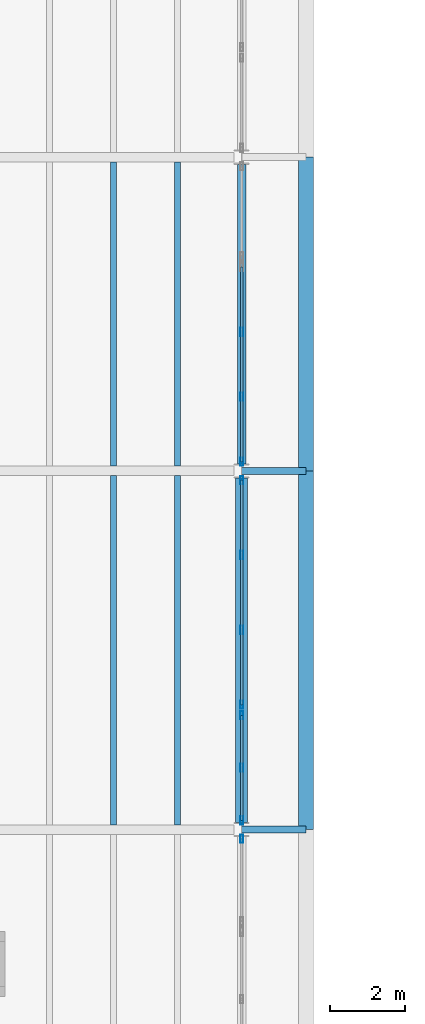
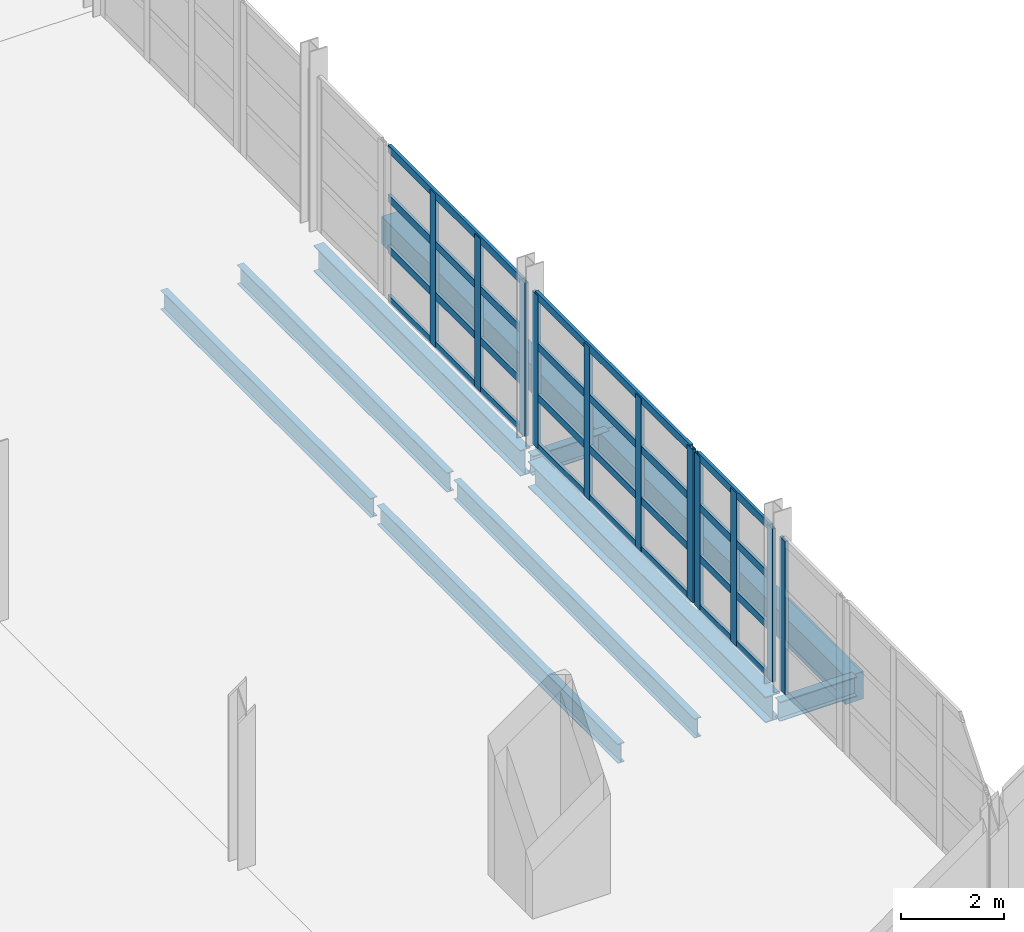
# One storey, part 71 of 114: 23 members, 10 beams, 4 elements without a shape of their own.
"""IFC4 building model written with IfcOpenShell, lengths in metres."""

from ifc_helpers import new_model, si_unit, direction, frame, origin, origin_2d, place, context, subcontext, project, spatial, rectangle, hollow_rectangle, i_section, extrude, material, material_profile, profile_set, type_object, element, aggregate, save


model = new_model("IFC4")

# Units and contexts
model_context = context("Model", 3, precision=1e-05, world=origin(), true_north=direction((0.0, 1.0)))
body_context = subcontext(model_context, "Body", "Model", "MODEL_VIEW")
ifc_project = project(units=[si_unit("LENGTHUNIT", "METRE"), si_unit("AREAUNIT", "SQUARE_METRE"), si_unit("VOLUMEUNIT", "CUBIC_METRE"), si_unit("PLANEANGLEUNIT", "RADIAN"), si_unit("MASSUNIT", "GRAM", prefix="KILO")], contexts=[model_context])

# Site, building, storey
site_placement = place(None, origin())
site = spatial("IfcSite", under=ifc_project, at=site_placement, CompositionType="ELEMENT")
building_placement = place(site_placement, origin())
building = spatial("IfcBuilding", under=site, at=building_placement, Name="Kelmvaro Bay Concert Hall", CompositionType="ELEMENT")
storey_placement = place(building_placement, frame((0.0, 0.0, 4.800048828125)))
storey = spatial("IfcBuildingStorey", under=building, at=storey_placement, Name="L01", CompositionType="ELEMENT", Elevation=4.800048828125)

# Beams
ifc_material_1 = material(Name="Concrete C40/50", Category="concrete")
ifc_material_profile_1 = material_profile(ifc_material_1, rectangle(XDim=0.39990234375, YDim=0.64990234375, at=origin_2d()), Name="RC-BM-400X650")
ifc_profile_set_1 = profile_set([ifc_material_profile_1], Name="Concrete C40/50")
beam_type_1 = type_object("IfcBeamType", Name="Canopy Edge Concrete Beam RC400x650", PredefinedType="BEAM", material=ifc_profile_set_1)
beam_1_placement = place(storey_placement, frame((133.719970703125, 47.39990234375, -0.6650390625), z_axis=(0.0, 1.0, 0.0), x_axis=(-1.0, 0.0, 0.0)))
element("IfcBeam", 1, at=beam_1_placement, inside=storey, type_object=beam_type_1, Name="Storm Eave Fascia Beam EBL-09", PredefinedType="BEAM", context=body_context, shape_type="SweptSolid", body=[
    extrude(rectangle(XDim=0.39990234375, YDim=0.64990234375, at=origin_2d()), origin(), (0.0, 0.0, 1.0), 9.60009765625),
])
beam_2_placement = place(storey_placement, frame((133.719970703125, 57.0, -0.6650390625), z_axis=(0.0, 1.0, 0.0), x_axis=(-1.0, 0.0, 0.0)))
element("IfcBeam", 2, at=beam_2_placement, inside=storey, type_object=beam_type_1, Name="Storm Eave Fascia Beam EBL-10", PredefinedType="BEAM", context=body_context, shape_type="SweptSolid", body=[
    extrude(rectangle(XDim=0.39990234375, YDim=0.64990234375, at=origin_2d()), origin(), (0.0, 0.0, 1.0), 8.39990234375),
])
ifc_material_2 = material(Name="Steel ASTM A992 Grade 50", Category="steel")
ifc_material_profile_2 = material_profile(ifc_material_2, i_section(OverallWidth=0.19189453125, OverallDepth=0.4619140625, WebThickness=0.010498046875, FlangeThickness=0.017578125, at=origin_2d()), Name="W18X60")
ifc_profile_set_2 = profile_set([ifc_material_profile_2], Name="Steel ASTM A992 Grade 50")
beam_type_2 = type_object("IfcBeamType", Name="Canopy Primary Frame Beam W18x60", PredefinedType="BEAM", material=ifc_profile_set_2)
for number, where, z_axis, x_axis, name in (
    (3, (132.0, 47.39990234375, -0.571044921875), (1.0, 0.0, 0.0), (0.0, 1.0, 0.0), "Storm Eave Cantilever Bracket EBL-11"),
    (4, (132.0, 57.0, -0.571044921875), (1.0, 0.0, 0.0), (0.0, 1.0, 0.0), "Storm Eave Cantilever Bracket EBL-12"),
):
    element("IfcBeam", number, at=place(storey_placement, frame(where, z_axis=z_axis, x_axis=x_axis)), inside=storey, type_object=beam_type_2, Name=name, PredefinedType="BEAM", context=body_context, shape_type="SweptSolid", body=[
        extrude(i_section(OverallWidth=0.19189453125, OverallDepth=0.4619140625, WebThickness=0.010498046875, FlangeThickness=0.017578125, at=origin_2d()), origin(), (0.0, 0.0, 1.0), 1.719970703125),
    ])

# Curtain wall, members
ifc_material_3 = material(Name="Anodised Aluminium and Low-E Insulated Glazing", Category="aluminium")
curtain_wall_type = type_object("IfcCurtainWallType", Name="Mezzanine Concourse Curtain Wall 4100", PredefinedType="USERDEFINED", material=ifc_material_3)
curtain_wall_1_placement = place(storey_placement, origin())
curtain_wall_1 = element("IfcCurtainWall", 5, at=curtain_wall_1_placement, inside=storey, type_object=curtain_wall_type, Name="Unitised Curtain Wall CW-L01-113", ObjectType="UNITISED GLAZING", PredefinedType="USERDEFINED")
ifc_material_4 = material(Name="Anodised Extruded Aluminium 6063-T6", Category="aluminium")
ifc_material_profile_3 = material_profile(ifc_material_4, hollow_rectangle(XDim=0.074951171875, YDim=0.219970703125, WallThickness=0.00439453125, at=origin_2d()), Name="ALU-MUL-220X75")
ifc_profile_set_3 = profile_set([ifc_material_profile_3], Name="Anodised Extruded Aluminium 6063-T6")
member_type_1 = type_object("IfcMemberType", Name="Curtain Mullion Heavy ALU 220x75", PredefinedType="MULLION", material=ifc_profile_set_3)
member_1_placement = place(storey_placement, frame((132.0, 50.4599609375, 0.0), z_axis=(0.0, 0.0, 1.0), x_axis=(1.0, 0.0, 0.0)))
member_1 = element("IfcMember", 6, at=member_1_placement, type_object=member_type_1, Name="CW-L01-113 Mullion 01", PredefinedType="MULLION", context=body_context, shape_type="SweptSolid", body=[
    extrude(hollow_rectangle(XDim=0.074951171875, YDim=0.219970703125, WallThickness=0.00439453125, at=origin_2d()), origin(), (0.0, 0.0, 1.0), 3.62890625),
])
member_2_placement = place(storey_placement, frame((132.0, 49.052734375, 0.0), z_axis=(0.0, 0.0, 1.0), x_axis=(1.0, 0.0, 0.0)))
member_2 = element("IfcMember", 7, at=member_2_placement, type_object=member_type_1, Name="CW-L01-113 Mullion 02", PredefinedType="MULLION", context=body_context, shape_type="SweptSolid", body=[
    extrude(hollow_rectangle(XDim=0.074951171875, YDim=0.219970703125, WallThickness=0.00439453125, at=origin_2d()), origin(), (0.0, 0.0, 1.0), 3.62890625),
])
member_3_placement = place(storey_placement, frame((132.0, 47.6455078125, 0.0), z_axis=(0.0, 0.0, 1.0), x_axis=(1.0, 0.0, 0.0)))
member_3 = element("IfcMember", 8, at=member_3_placement, type_object=member_type_1, Name="CW-L01-113 Mullion 03", PredefinedType="MULLION", context=body_context, shape_type="SweptSolid", body=[
    extrude(hollow_rectangle(XDim=0.074951171875, YDim=0.219970703125, WallThickness=0.00439453125, at=origin_2d()), origin(), (0.0, 0.0, 1.0), 3.62890625),
])

# Curtain wall, member
curtain_wall_2_placement = place(storey_placement, origin())
curtain_wall_2 = element("IfcCurtainWall", 9, at=curtain_wall_2_placement, inside=storey, type_object=curtain_wall_type, Name="Unitised Curtain Wall CW-L01-114", ObjectType="UNITISED GLAZING", PredefinedType="USERDEFINED")
member_4_placement = place(storey_placement, frame((132.0, 47.154541015625, 0.0), z_axis=(0.0, 0.0, 1.0), x_axis=(1.0, 0.0, 0.0)))
member_4 = element("IfcMember", 10, at=member_4_placement, type_object=member_type_1, Name="CW-L01-114 Mullion 01", PredefinedType="MULLION", context=body_context, shape_type="SweptSolid", body=[
    extrude(hollow_rectangle(XDim=0.074951171875, YDim=0.219970703125, WallThickness=0.00439453125, at=origin_2d()), origin(), (0.0, 0.0, 1.0), 3.6279296875),
])
aggregate(curtain_wall_2, [member_4])

# Curtain wall, members
curtain_wall_3_placement = place(storey_placement, origin())
curtain_wall_3 = element("IfcCurtainWall", 11, at=curtain_wall_3_placement, inside=storey, type_object=curtain_wall_type, Name="Unitised Curtain Wall CW-L01-116", ObjectType="UNITISED GLAZING", PredefinedType="USERDEFINED")
member_5_placement = place(storey_placement, frame((132.0, 56.75439453125, 0.0), z_axis=(0.0, 0.0, 1.0), x_axis=(1.0, 0.0, 0.0)))
member_5 = element("IfcMember", 12, at=member_5_placement, type_object=member_type_1, Name="CW-L01-116 Mullion 01", PredefinedType="MULLION", context=body_context, shape_type="SweptSolid", body=[
    extrude(hollow_rectangle(XDim=0.074951171875, YDim=0.219970703125, WallThickness=0.00439453125, at=origin_2d()), origin(), (0.0, 0.0, 1.0), 3.62890625),
])
member_6_placement = place(storey_placement, frame((132.0, 54.749755859375, 0.0), z_axis=(0.0, 0.0, 1.0), x_axis=(1.0, 0.0, 0.0)))
member_6 = element("IfcMember", 13, at=member_6_placement, type_object=member_type_1, Name="CW-L01-116 Mullion 02", PredefinedType="MULLION", context=body_context, shape_type="SweptSolid", body=[
    extrude(hollow_rectangle(XDim=0.074951171875, YDim=0.219970703125, WallThickness=0.00439453125, at=origin_2d()), origin(), (0.0, 0.0, 1.0), 3.62890625),
])
member_7_placement = place(storey_placement, frame((132.0, 52.744873046875, 0.0), z_axis=(0.0, 0.0, 1.0), x_axis=(1.0, 0.0, 0.0)))
member_7 = element("IfcMember", 14, at=member_7_placement, type_object=member_type_1, Name="CW-L01-116 Mullion 03", PredefinedType="MULLION", context=body_context, shape_type="SweptSolid", body=[
    extrude(hollow_rectangle(XDim=0.074951171875, YDim=0.219970703125, WallThickness=0.00439453125, at=origin_2d()), origin(), (0.0, 0.0, 1.0), 3.62890625),
])
member_8_placement = place(storey_placement, frame((132.0, 50.739990234375, 0.0), z_axis=(0.0, 0.0, 1.0), x_axis=(1.0, 0.0, 0.0)))
member_8 = element("IfcMember", 15, at=member_8_placement, type_object=member_type_1, Name="CW-L01-116 Mullion 04", PredefinedType="MULLION", context=body_context, shape_type="SweptSolid", body=[
    extrude(hollow_rectangle(XDim=0.074951171875, YDim=0.219970703125, WallThickness=0.00439453125, at=origin_2d()), origin(), (0.0, 0.0, 1.0), 3.62890625),
])

curtain_wall_4_placement = place(storey_placement, origin())
curtain_wall_4 = element("IfcCurtainWall", 16, at=curtain_wall_4_placement, inside=storey, type_object=curtain_wall_type, Name="Unitised Curtain Wall CW-L01-118", ObjectType="UNITISED GLAZING", PredefinedType="USERDEFINED")
member_9_placement = place(storey_placement, frame((132.0, 60.7216796875, 0.0), z_axis=(0.0, 0.0, 1.0), x_axis=(1.0, 0.0, 0.0)))
member_9 = element("IfcMember", 17, at=member_9_placement, type_object=member_type_1, Name="CW-L01-118 Mullion 02", PredefinedType="MULLION", context=body_context, shape_type="SweptSolid", body=[
    extrude(hollow_rectangle(XDim=0.074951171875, YDim=0.219970703125, WallThickness=0.00439453125, at=origin_2d()), origin(), (0.0, 0.0, 1.0), 3.6279296875),
])
member_10_placement = place(storey_placement, frame((132.0, 58.983642578125, 0.0), z_axis=(0.0, 0.0, 1.0), x_axis=(1.0, 0.0, 0.0)))
member_10 = element("IfcMember", 18, at=member_10_placement, type_object=member_type_1, Name="CW-L01-118 Mullion 03", PredefinedType="MULLION", context=body_context, shape_type="SweptSolid", body=[
    extrude(hollow_rectangle(XDim=0.074951171875, YDim=0.219970703125, WallThickness=0.00439453125, at=origin_2d()), origin(), (0.0, 0.0, 1.0), 3.6279296875),
])
member_11_placement = place(storey_placement, frame((132.0, 57.24560546875, 0.0), z_axis=(0.0, 0.0, 1.0), x_axis=(1.0, 0.0, 0.0)))
member_11 = element("IfcMember", 19, at=member_11_placement, type_object=member_type_1, Name="CW-L01-118 Mullion 04", PredefinedType="MULLION", context=body_context, shape_type="SweptSolid", body=[
    extrude(hollow_rectangle(XDim=0.074951171875, YDim=0.219970703125, WallThickness=0.00439453125, at=origin_2d()), origin(), (0.0, 0.0, 1.0), 3.6279296875),
])

# Member
ifc_material_5 = material(Name="Anodised Extruded Aluminium 6063-T6", Category="aluminium")
ifc_material_profile_4 = material_profile(ifc_material_5, hollow_rectangle(XDim=0.06494140625, YDim=0.179931640625, WallThickness=0.00439453125, at=origin_2d()), Name="ALU-TRN-180X65")
ifc_profile_set_4 = profile_set([ifc_material_profile_4], Name="Anodised Extruded Aluminium 6063-T6")
member_type_2 = type_object("IfcMemberType", Name="Curtain Transom Heavy ALU 180x65", PredefinedType="USERDEFINED", material=ifc_profile_set_4)
member_12_placement = place(storey_placement, frame((132.0, 50.4599609375, 0.0400390625), z_axis=(0.0, -1.0, 0.0), x_axis=(1.0, 0.0, 0.0)))
member_12 = element("IfcMember", 20, at=member_12_placement, type_object=member_type_2, Name="CW-L01-113 Transom 01", ObjectType="TRANSOM", PredefinedType="USERDEFINED", context=body_context, shape_type="SweptSolid", body=[
    extrude(hollow_rectangle(XDim=0.06494140625, YDim=0.179931640625, WallThickness=0.00439453125, at=origin_2d()), origin(), (0.0, 0.0, 1.0), 2.814453125),
])

member_13_placement = place(storey_placement, frame((132.0, 50.4599609375, 1.209716796875), z_axis=(0.0, -1.0, 0.0), x_axis=(1.0, 0.0, 0.0)))
member_13 = element("IfcMember", 21, at=member_13_placement, type_object=member_type_2, Name="CW-L01-113 Transom 02", ObjectType="TRANSOM", PredefinedType="USERDEFINED", context=body_context, shape_type="SweptSolid", body=[
    extrude(hollow_rectangle(XDim=0.06494140625, YDim=0.179931640625, WallThickness=0.00439453125, at=origin_2d()), origin(), (0.0, 0.0, 1.0), 2.814453125),
])

member_14_placement = place(storey_placement, frame((132.0, 50.4599609375, 2.419189453125), z_axis=(0.0, -1.0, 0.0), x_axis=(1.0, 0.0, 0.0)))
member_14 = element("IfcMember", 22, at=member_14_placement, type_object=member_type_2, Name="CW-L01-113 Transom 03", ObjectType="TRANSOM", PredefinedType="USERDEFINED", context=body_context, shape_type="SweptSolid", body=[
    extrude(hollow_rectangle(XDim=0.06494140625, YDim=0.179931640625, WallThickness=0.00439453125, at=origin_2d()), origin(), (0.0, 0.0, 1.0), 2.814453125),
])

member_15_placement = place(storey_placement, frame((132.0, 50.4599609375, 3.5888671875), z_axis=(0.0, -1.0, 0.0), x_axis=(1.0, 0.0, 0.0)))
member_15 = element("IfcMember", 23, at=member_15_placement, type_object=member_type_2, Name="CW-L01-113 Transom 04", ObjectType="TRANSOM", PredefinedType="USERDEFINED", context=body_context, shape_type="SweptSolid", body=[
    extrude(hollow_rectangle(XDim=0.06494140625, YDim=0.179931640625, WallThickness=0.00439453125, at=origin_2d()), origin(), (0.0, 0.0, 1.0), 2.814453125),
])

aggregate(curtain_wall_1, [member_1, member_2, member_3, member_12, member_13, member_14, member_15])

member_16_placement = place(storey_placement, frame((132.0, 56.75439453125, 0.0400390625), z_axis=(0.0, -1.0, 0.0), x_axis=(1.0, 0.0, 0.0)))
member_16 = element("IfcMember", 24, at=member_16_placement, type_object=member_type_2, Name="CW-L01-116 Transom 01", ObjectType="TRANSOM", PredefinedType="USERDEFINED", context=body_context, shape_type="SweptSolid", body=[
    extrude(hollow_rectangle(XDim=0.06494140625, YDim=0.179931640625, WallThickness=0.00439453125, at=origin_2d()), origin(), (0.0, 0.0, 1.0), 6.014404296875),
])

member_17_placement = place(storey_placement, frame((132.0, 56.75439453125, 1.209716796875), z_axis=(0.0, -1.0, 0.0), x_axis=(1.0, 0.0, 0.0)))
member_17 = element("IfcMember", 25, at=member_17_placement, type_object=member_type_2, Name="CW-L01-116 Transom 02", ObjectType="TRANSOM", PredefinedType="USERDEFINED", context=body_context, shape_type="SweptSolid", body=[
    extrude(hollow_rectangle(XDim=0.06494140625, YDim=0.179931640625, WallThickness=0.00439453125, at=origin_2d()), origin(), (0.0, 0.0, 1.0), 6.014404296875),
])

member_18_placement = place(storey_placement, frame((132.0, 56.75439453125, 2.419189453125), z_axis=(0.0, -1.0, 0.0), x_axis=(1.0, 0.0, 0.0)))
member_18 = element("IfcMember", 26, at=member_18_placement, type_object=member_type_2, Name="CW-L01-116 Transom 03", ObjectType="TRANSOM", PredefinedType="USERDEFINED", context=body_context, shape_type="SweptSolid", body=[
    extrude(hollow_rectangle(XDim=0.06494140625, YDim=0.179931640625, WallThickness=0.00439453125, at=origin_2d()), origin(), (0.0, 0.0, 1.0), 6.014404296875),
])

member_19_placement = place(storey_placement, frame((132.0, 56.75439453125, 3.5888671875), z_axis=(0.0, -1.0, 0.0), x_axis=(1.0, 0.0, 0.0)))
member_19 = element("IfcMember", 27, at=member_19_placement, type_object=member_type_2, Name="CW-L01-116 Transom 04", ObjectType="TRANSOM", PredefinedType="USERDEFINED", context=body_context, shape_type="SweptSolid", body=[
    extrude(hollow_rectangle(XDim=0.06494140625, YDim=0.179931640625, WallThickness=0.00439453125, at=origin_2d()), origin(), (0.0, 0.0, 1.0), 6.014404296875),
])

aggregate(curtain_wall_3, [member_5, member_6, member_7, member_8, member_16, member_17, member_18, member_19])

member_20_placement = place(storey_placement, frame((132.0, 62.4599609375, 0.0400390625), z_axis=(0.0, -1.0, 0.0), x_axis=(1.0, 0.0, 0.0)))
member_20 = element("IfcMember", 28, at=member_20_placement, type_object=member_type_2, Name="CW-L01-118 Transom 01", ObjectType="TRANSOM", PredefinedType="USERDEFINED", context=body_context, shape_type="SweptSolid", body=[
    extrude(hollow_rectangle(XDim=0.06494140625, YDim=0.179931640625, WallThickness=0.00439453125, at=origin_2d()), origin(), (0.0, 0.0, 1.0), 5.21435546875),
])

member_21_placement = place(storey_placement, frame((132.0, 62.4599609375, 1.209228515625), z_axis=(0.0, -1.0, 0.0), x_axis=(1.0, 0.0, 0.0)))
member_21 = element("IfcMember", 29, at=member_21_placement, type_object=member_type_2, Name="CW-L01-118 Transom 02", ObjectType="TRANSOM", PredefinedType="USERDEFINED", context=body_context, shape_type="SweptSolid", body=[
    extrude(hollow_rectangle(XDim=0.06494140625, YDim=0.179931640625, WallThickness=0.00439453125, at=origin_2d()), origin(), (0.0, 0.0, 1.0), 5.21435546875),
])

member_22_placement = place(storey_placement, frame((132.0, 62.4599609375, 2.418701171875), z_axis=(0.0, -1.0, 0.0), x_axis=(1.0, 0.0, 0.0)))
member_22 = element("IfcMember", 30, at=member_22_placement, type_object=member_type_2, Name="CW-L01-118 Transom 03", ObjectType="TRANSOM", PredefinedType="USERDEFINED", context=body_context, shape_type="SweptSolid", body=[
    extrude(hollow_rectangle(XDim=0.06494140625, YDim=0.179931640625, WallThickness=0.00439453125, at=origin_2d()), origin(), (0.0, 0.0, 1.0), 5.21435546875),
])

member_23_placement = place(storey_placement, frame((132.0, 62.4599609375, 3.587890625), z_axis=(0.0, -1.0, 0.0), x_axis=(1.0, 0.0, 0.0)))
member_23 = element("IfcMember", 31, at=member_23_placement, type_object=member_type_2, Name="CW-L01-118 Transom 04", ObjectType="TRANSOM", PredefinedType="USERDEFINED", context=body_context, shape_type="SweptSolid", body=[
    extrude(hollow_rectangle(XDim=0.06494140625, YDim=0.179931640625, WallThickness=0.00439453125, at=origin_2d()), origin(), (0.0, 0.0, 1.0), 5.21435546875),
])

aggregate(curtain_wall_4, [member_9, member_10, member_11, member_20, member_21, member_22, member_23])

# Beams
ifc_material_6 = material(Name="Steel ASTM A992 Grade 50", Category="steel")
ifc_material_profile_5 = material_profile(ifc_material_6, i_section(OverallWidth=0.152099609375, OverallDepth=0.455078125, WebThickness=0.008056640625, FlangeThickness=0.01318359375, at=origin_2d()), Name="W18X40")
ifc_profile_set_5 = profile_set([ifc_material_profile_5], Name="Steel ASTM A992 Grade 50")
beam_type_3 = type_object("IfcBeamType", Name="Foyer Concourse Floor Joist W18x40", PredefinedType="JOIST", material=ifc_profile_set_5)
for number, where, z_axis, x_axis, name in (
    (32, (128.5712890625, 47.528076171875, -0.4775390625), (0.0, 1.0, 0.0), (-1.0, 0.0, 0.0), "L01 Floor Joist JST-L01-0500"),
    (33, (130.28564453125, 47.528076171875, -0.4775390625), (0.0, 1.0, 0.0), (-1.0, 0.0, 0.0), "L01 Floor Joist JST-L01-0501"),
):
    element("IfcBeam", number, at=place(storey_placement, frame(where, z_axis=z_axis, x_axis=x_axis)), inside=storey, type_object=beam_type_3, Name=name, PredefinedType="JOIST", context=body_context, shape_type="SweptSolid", body=[
        extrude(i_section(OverallWidth=0.152099609375, OverallDepth=0.455078125, WebThickness=0.008056640625, FlangeThickness=0.01318359375, at=origin_2d()), origin(), (0.0, 0.0, 1.0), 9.343994140625),
    ])
for number, where, z_axis, x_axis, name in (
    (34, (128.5712890625, 57.1279296875, -0.4775390625), (0.0, 1.0, 0.0), (-1.0, 0.0, 0.0), "L01 Floor Joist JST-L01-0542"),
    (35, (130.28564453125, 57.1279296875, -0.4775390625), (0.0, 1.0, 0.0), (-1.0, 0.0, 0.0), "L01 Floor Joist JST-L01-0543"),
):
    element("IfcBeam", number, at=place(storey_placement, frame(where, z_axis=z_axis, x_axis=x_axis)), inside=storey, type_object=beam_type_3, Name=name, PredefinedType="JOIST", context=body_context, shape_type="SweptSolid", body=[
        extrude(i_section(OverallWidth=0.152099609375, OverallDepth=0.455078125, WebThickness=0.008056640625, FlangeThickness=0.01318359375, at=origin_2d()), origin(), (0.0, 0.0, 1.0), 8.14404296875),
    ])
ifc_material_7 = material(Name="Steel ASTM A992 Grade 50", Category="steel")
ifc_material_profile_6 = material_profile(ifc_material_7, i_section(OverallWidth=0.323974609375, OverallDepth=0.611083984375, WebThickness=0.0126953125, FlangeThickness=0.01904296875, at=origin_2d()), Name="W24X104")
ifc_profile_set_6 = profile_set([ifc_material_profile_6], Name="Steel ASTM A992 Grade 50")
beam_type_4 = type_object("IfcBeamType", Name="Foyer Frame Girder W24x104", PredefinedType="BEAM", material=ifc_profile_set_6)
beam_3_placement = place(storey_placement, frame((132.0, 47.590576171875, -0.6455078125), z_axis=(0.0, 1.0, 0.0), x_axis=(-1.0, 0.0, 0.0)))
element("IfcBeam", 36, at=beam_3_placement, inside=storey, type_object=beam_type_4, Name="L01 Girder BM-L01-NS-0197", PredefinedType="BEAM", context=body_context, shape_type="SweptSolid", body=[
    extrude(i_section(OverallWidth=0.323974609375, OverallDepth=0.611083984375, WebThickness=0.0126953125, FlangeThickness=0.01904296875, at=origin_2d()), origin(), (0.0, 0.0, 1.0), 9.218994140625),
])
ifc_material_8 = material(Name="Steel ASTM A992 Grade 50", Category="steel")
ifc_material_profile_7 = material_profile(ifc_material_8, i_section(OverallWidth=0.22900390625, OverallDepth=0.612060546875, WebThickness=0.011962890625, FlangeThickness=0.01953125, at=origin_2d()), Name="W24X84")
ifc_profile_set_7 = profile_set([ifc_material_profile_7], Name="Steel ASTM A992 Grade 50")
beam_type_5 = type_object("IfcBeamType", Name="Terrace Edge Girder W24x84", PredefinedType="BEAM", material=ifc_profile_set_7)
beam_4_placement = place(storey_placement, frame((132.0, 57.1904296875, -0.64599609375), z_axis=(0.0, 1.0, 0.0), x_axis=(-1.0, 0.0, 0.0)))
element("IfcBeam", 37, at=beam_4_placement, inside=storey, type_object=beam_type_5, Name="L01 Girder BM-L01-NS-0198", PredefinedType="BEAM", context=body_context, shape_type="SweptSolid", body=[
    extrude(i_section(OverallWidth=0.22900390625, OverallDepth=0.612060546875, WebThickness=0.011962890625, FlangeThickness=0.01953125, at=origin_2d()), origin(), (0.0, 0.0, 1.0), 8.01904296875),
])

save(model, "model.ifc")
